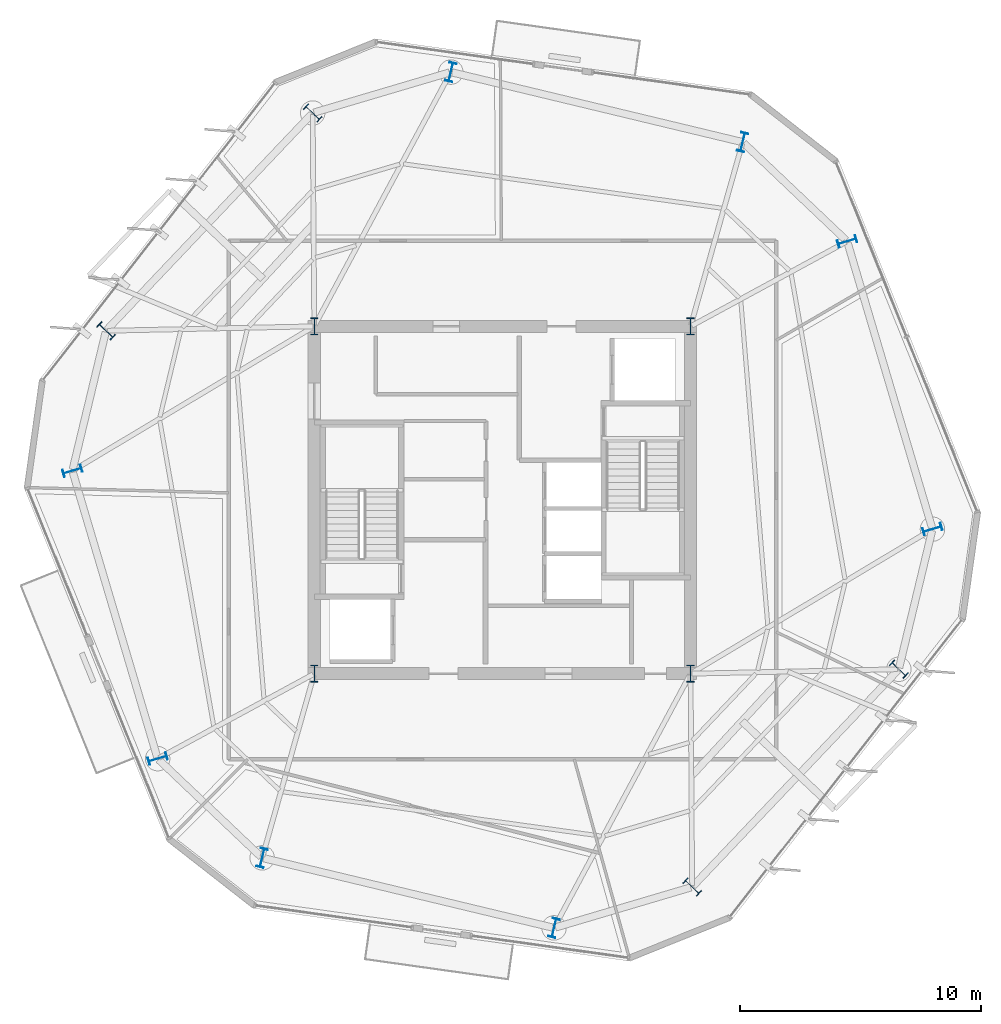
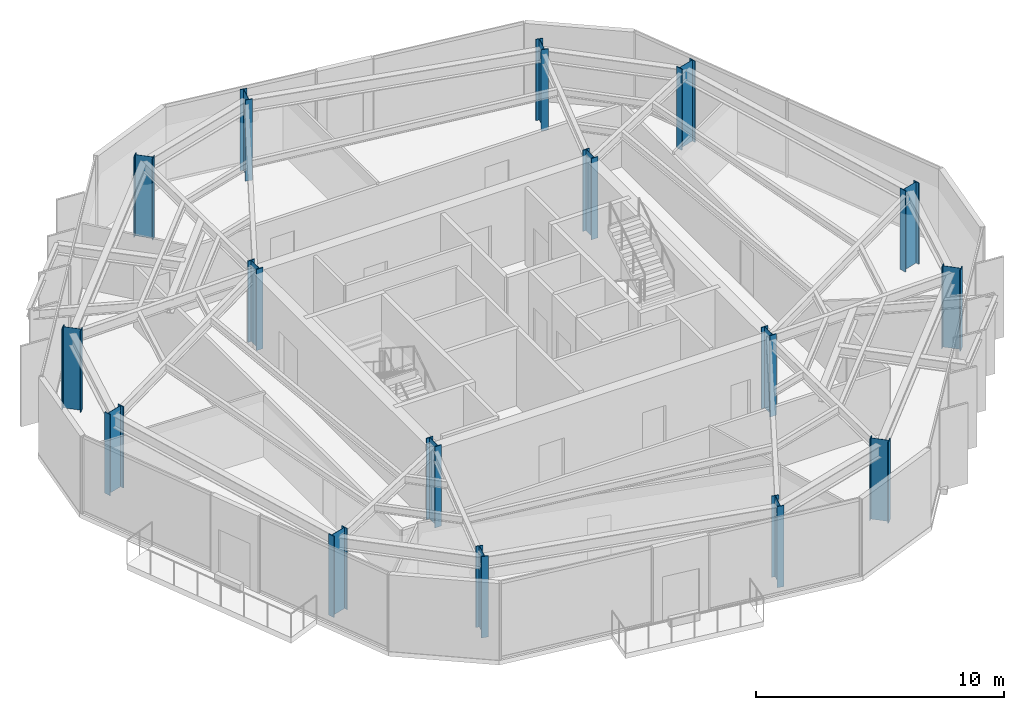
# One storey, part 1 of 11: 16 columns.
"""IFC4 building model written with IfcOpenShell, lengths in metres."""

import ifcopenshell
import ifcopenshell.guid

model = None  # the IFC model being written
_history = None  # IfcOwnerHistory: only IFC2X3 demands one
_inside = {}  # id of a spatial element -> (the spatial element, [elements in it])
_under = {}  # id of a project, library or spatial element -> (it, [spatial elements below it])
_declared = {}  # id of a project -> (the project, [libraries it declares])
_typed = {}  # id of a type object -> (the type object, [elements of that type])
_made_of = {}  # id of a material, layer set ... -> (it, [elements and type objects made of it])


def new_model(schema):
    """Start an empty IFC model of exactly this schema.

    Asked for "IFC4X3", IfcOpenShell would pick the latest addendum, in which some entities
    have other attributes; the version numbers below select the first issue.
    IFC2X3 requires an IfcOwnerHistory on every rooted entity: one is made here for all.
    """
    global model, _history
    if schema == "IFC4X3":
        model = ifcopenshell.file(schema_version=(4, 3, 0, 0))
    else:
        model = ifcopenshell.file(schema=schema)
    _inside.clear()
    _under.clear()
    _declared.clear()
    _typed.clear()
    _made_of.clear()
    _history = None
    if model.schema == "IFC2X3":
        org = make("IfcOrganization", Name="unknown")
        user = make(
            "IfcPersonAndOrganization",
            ThePerson=make("IfcPerson", FamilyName="unknown"),
            TheOrganization=org,
        )
        app = make(
            "IfcApplication",
            ApplicationDeveloper=org,
            Version="unknown",
            ApplicationFullName="unknown",
            ApplicationIdentifier="unknown",
        )
        _history = make(
            "IfcOwnerHistory",
            OwningUser=user,
            OwningApplication=app,
            ChangeAction="ADDED",
            CreationDate=0,
        )
    return model


def make(cls, **values):
    """One entity of the class cls with the attributes given. An attribute that is None is left unset."""
    return model.create_entity(
        cls, **{name: value for name, value in values.items() if value is not None}
    )


def rooted(cls, **values):
    """An entity with a GlobalId (a new one), such as an element, a storey or a relation."""
    return make(cls, GlobalId=ifcopenshell.guid.new(), OwnerHistory=_history, **values)


def si_unit(unit_type, name, prefix=None):
    """IfcSIUnit, for example si_unit("LENGTHUNIT", "METRE", prefix="MILLI")."""
    return make("IfcSIUnit", UnitType=unit_type, Prefix=prefix, Name=name)


def assignment(units):
    """IfcUnitAssignment: the units of a project."""
    return None if units is None else make("IfcUnitAssignment", Units=units)


def point(xyz):
    """IfcCartesianPoint."""
    return None if xyz is None else make("IfcCartesianPoint", Coordinates=xyz)


def direction(xyz):
    """IfcDirection."""
    return None if xyz is None else make("IfcDirection", DirectionRatios=xyz)


def frame(location, z_axis=None, x_axis=None):
    """IfcAxis2Placement3D, a coordinate frame: its origin and axes. An axis left out is left unset."""
    return make(
        "IfcAxis2Placement3D",
        Location=point(location),
        Axis=direction(z_axis),
        RefDirection=direction(x_axis),
    )


def frame_2d(location, x_axis=None):
    """IfcAxis2Placement2D, a coordinate frame in the plane: its origin and x axis."""
    return make(
        "IfcAxis2Placement2D", Location=point(location), RefDirection=direction(x_axis)
    )


def origin():
    """The frame at (0, 0, 0) with its axes left unset."""
    return frame((0.0, 0.0, 0.0))


def origin_2d():
    """The frame at (0, 0) in the plane with its x axis left unset."""
    return frame_2d((0.0, 0.0))


def place(relative_to, where):
    """IfcLocalPlacement: puts the frame where relative to a parent placement (None: the world)."""
    return make(
        "IfcLocalPlacement", PlacementRelTo=relative_to, RelativePlacement=where
    )


def context(
    kind, dimensions, precision=None, world=None, true_north=None, identifier=None
):
    """IfcGeometricRepresentationContext, for example the 3D "Model" context."""
    return make(
        "IfcGeometricRepresentationContext",
        ContextIdentifier=identifier,
        ContextType=kind,
        CoordinateSpaceDimension=dimensions,
        Precision=precision,
        WorldCoordinateSystem=world,
        TrueNorth=true_north,
    )


def subcontext(parent, identifier, kind, view, scale=None):
    """IfcGeometricRepresentationSubContext, for example "Body" below "Model"."""
    return make(
        "IfcGeometricRepresentationSubContext",
        ContextIdentifier=identifier,
        ContextType=kind,
        ParentContext=parent,
        TargetScale=scale,
        TargetView=view,
    )


def project(units=None, contexts=None):
    """IfcProject with its units and contexts."""
    return rooted(
        "IfcProject",
        Name="project",
        RepresentationContexts=contexts,
        UnitsInContext=assignment(units),
    )


def spatial(cls, under=None, at=None, **own):
    """A site, building, storey or space (cls), placed at a placement, below another one or the project."""
    s = rooted(cls, ObjectPlacement=at, **own)
    if under is not None:
        _under.setdefault(under.id(), (under, []))[1].append(s)
    return s


def profile(cls, at=None, kind="AREA", **sizes):
    """A parametric profile (cls). Its sizes go by their IFC names, for example OverallWidth=200.0."""
    return make(cls, ProfileType=kind, Position=at, **sizes)


def i_section(**sizes):
    """IfcIShapeProfileDef."""
    return profile("IfcIShapeProfileDef", **sizes)


def extrude(swept, where, along, depth):
    """IfcExtrudedAreaSolid: the profile swept, set in the frame where, extruded along a direction by depth."""
    return make(
        "IfcExtrudedAreaSolid",
        SweptArea=swept,
        Position=where,
        ExtrudedDirection=direction(along),
        Depth=depth,
    )


def shape(context_of_items, identifier, shape_type, items):
    """IfcShapeRepresentation: the items that make up one representation, for example the "Body"."""
    return make(
        "IfcShapeRepresentation",
        ContextOfItems=context_of_items,
        RepresentationIdentifier=identifier,
        RepresentationType=shape_type,
        Items=items,
    )


def material(Name=None, Category=None):
    """IfcMaterial."""
    return make("IfcMaterial", Name=Name, Category=Category)


def material_profile(
    of_material, cross_section, Name=None, Category=None, Priority=None
):
    """IfcMaterialProfile: a cross section and its material."""
    return make(
        "IfcMaterialProfile",
        Name=Name,
        Material=of_material,
        Profile=cross_section,
        Priority=Priority,
        Category=Category,
    )


def profile_set(profiles, Name=None, composite=None):
    """IfcMaterialProfileSet."""
    return make(
        "IfcMaterialProfileSet",
        Name=Name,
        MaterialProfiles=profiles,
        CompositeProfile=composite,
    )


def made_of(thing, what):
    """Note that an element or type object is made of a material, layer set ...; save() writes the relation."""
    if what is not None:
        _made_of.setdefault(what.id(), (what, []))[1].append(thing)
    return thing


def type_object(cls, material=None, **own):
    """A type object (cls), such as IfcWallType, which elements share."""
    return made_of(rooted(cls, **own), material)


def element(
    cls,
    number,
    at=None,
    inside=None,
    cuts=None,
    type_object=None,
    material=None,
    context=None,
    identifier="Body",
    shape_type=None,
    held_by="IfcProductDefinitionShape",
    body=None,
    shapes=None,
    **own,
):
    """One element of the class cls, such as IfcWall. Its Tag is "e" and its number.

    at: its placement. inside: the storey or other place that contains it. cuts: it is an
    opening in that element (IfcRelVoidsElement). A single representation is given by context,
    identifier, shape_type and body (its items); several are given by shapes. held_by: the class
    of the entity that holds the representations. save() writes the other relations.
    """
    e = rooted(cls, Tag="e%d" % number, ObjectPlacement=at, **own)
    if body is not None:
        shapes = [shape(context, identifier, shape_type, body)]
    if shapes is not None:
        e.Representation = make(held_by, Representations=shapes)
    if inside is not None:
        _inside.setdefault(inside.id(), (inside, []))[1].append(e)
    if cuts is not None:
        rooted(
            "IfcRelVoidsElement", RelatingBuildingElement=cuts, RelatedOpeningElement=e
        )
    if type_object is not None:
        _typed.setdefault(type_object.id(), (type_object, []))[1].append(e)
    return made_of(e, material)


def aggregate(whole, parts):
    """IfcRelAggregates: a whole, such as a stair, and the parts it consists of."""
    return rooted("IfcRelAggregates", RelatingObject=whole, RelatedObjects=parts)


def save(model, path):
    """Write the relations noted so far, then the file.

    IfcRelAggregates (storeys below a building ...), IfcRelContainedInSpatialStructure (elements
    in a storey), IfcRelDefinesByType, IfcRelAssociatesMaterial and IfcRelDeclares: one each for
    every whole, place, type object, material and project.
    """
    for whole, parts in _under.values():
        aggregate(whole, parts)
    for where, things in _inside.values():
        rooted(
            "IfcRelContainedInSpatialStructure",
            RelatedElements=things,
            RelatingStructure=where,
        )
    for kind, things in _typed.values():
        rooted("IfcRelDefinesByType", RelatedObjects=things, RelatingType=kind)
    for what, things in _made_of.values():
        rooted("IfcRelAssociatesMaterial", RelatedObjects=things, RelatingMaterial=what)
    for by, libraries in _declared.values():
        rooted("IfcRelDeclares", RelatingContext=by, RelatedDefinitions=libraries)
    model.write(path)


model = new_model("IFC4")

# Units and contexts
model_context = context("Model", 3, precision=1e-05, world=origin(), true_north=direction((0.0, 1.0)))
body_context = subcontext(model_context, "Body", "Model", "MODEL_VIEW")
ifc_project = project(units=[si_unit("LENGTHUNIT", "METRE"), si_unit("AREAUNIT", "SQUARE_METRE"), si_unit("VOLUMEUNIT", "CUBIC_METRE"), si_unit("PLANEANGLEUNIT", "RADIAN"), si_unit("MASSUNIT", "GRAM", prefix="KILO")], contexts=[model_context])

# Site, building, storey
site_placement = place(None, origin())
site = spatial("IfcSite", under=ifc_project, at=site_placement, CompositionType="ELEMENT")
building_placement = place(site_placement, origin())
building = spatial("IfcBuilding", under=site, at=building_placement, Name="Kranzbogen Civic Tower", CompositionType="ELEMENT")
storey_placement = place(building_placement, frame((0.0, 0.0, 232.800048828125)))
storey = spatial("IfcBuildingStorey", under=building, at=storey_placement, Name="L56", CompositionType="ELEMENT", Elevation=232.800048828125)

# Columns
ifc_material_1 = material(Name="Steel S355", Category="steel")
ifc_material_profile_1 = material_profile(ifc_material_1, i_section(OverallWidth=0.300048828125, OverallDepth=0.800048828125, WebThickness=0.017578125, FlangeThickness=0.032958984375, at=origin_2d()), Name="HEB 800")
ifc_profile_set_1 = profile_set([ifc_material_profile_1], Name="Steel S355")
column_type_1 = type_object("IfcColumnType", Name="Structural Column HEB 800", PredefinedType="COLUMN", material=ifc_profile_set_1)
for number, where, z_axis, x_axis, name in (
    (1, (34.9609375, 39.8349609375, 0.0), (0.0, 0.0, 1.0), (-0.972369920398, 0.233445363856, 0.0), "L56 tower perimeter tube column 01"),
    (2, (22.860107421875, 42.739990234375, 0.0), (0.0, 0.0, 1.0), (-0.972369920398, 0.233445363856, 0.0), "L56 tower perimeter tube column 02"),
    (3, (17.133056640625, 41.0439453125, 0.0), (0.0, 0.0, 1.0), (0.688354575694, 0.725374371012, 0.0), "L56 tower perimeter tube column 03"),
    (4, (8.56689453125, 32.01611328125, 0.0), (0.0, 0.0, 1.0), (0.688354575694, 0.725374371012, 0.0), "L56 tower perimeter tube column 04"),
    (5, (7.172119140625, 26.208984375, 0.0), (0.0, 0.0, 1.0), (-0.284015344704, 0.958819734868, 0.0), "L56 tower perimeter tube column 05"),
    (6, (10.70703125, 14.27587890625, 0.0), (0.0, 0.0, 1.0), (-0.284015344704, 0.958819734868, 0.0), "L56 tower perimeter tube column 06"),
    (7, (15.0390625, 10.1650390625, 0.0), (0.0, 0.0, 1.0), (-0.972369920398, 0.233445363856, 0.0), "L56 tower perimeter tube column 07"),
    (8, (27.139892578125, 7.260009765625, 0.0), (0.0, 0.0, 1.0), (-0.972369920398, 0.233445363856, 0.0), "L56 tower perimeter tube column 08"),
    (9, (32.866943359375, 8.9560546875, 0.0), (0.0, 0.0, 1.0), (0.688354575694, 0.725374371012, 0.0), "L56 tower perimeter tube column 09"),
    (10, (41.43310546875, 17.98388671875, 0.0), (0.0, 0.0, 1.0), (0.688354575694, 0.725374371012, 0.0), "L56 tower perimeter tube column 10"),
    (11, (42.827880859375, 23.791015625, 0.0), (0.0, 0.0, 1.0), (-0.284015344704, 0.958819734868, 0.0), "L56 tower perimeter tube column 11"),
    (12, (39.29296875, 35.72412109375, 0.0), (0.0, 0.0, 1.0), (-0.284015344704, 0.958819734868, 0.0), "L56 tower perimeter tube column 12"),
):
    element("IfcColumn", number, at=place(storey_placement, frame(where, z_axis=z_axis, x_axis=x_axis)), inside=storey, type_object=column_type_1, Name=name, PredefinedType="COLUMN", context=body_context, shape_type="SweptSolid", body=[
        extrude(i_section(OverallWidth=0.300048828125, OverallDepth=0.800048828125, WebThickness=0.017578125, FlangeThickness=0.032958984375, at=origin_2d()), origin(), (0.0, 0.0, 1.0), 4.0),
    ])
ifc_material_2 = material(Name="Steel S460", Category="steel")
ifc_material_profile_2 = material_profile(ifc_material_2, i_section(OverallWidth=0.303955078125, OverallDepth=0.716064453125, WebThickness=0.02099609375, FlangeThickness=0.0400390625, at=origin_2d()), Name="HEM 700")
ifc_profile_set_2 = profile_set([ifc_material_profile_2], Name="Steel S460")
column_type_2 = type_object("IfcColumnType", Name="Structural Column HEM 700", PredefinedType="COLUMN", material=ifc_profile_set_2)
for number, where, z_axis, x_axis, name in (
    (13, (17.199951171875, 17.800048828125, 0.0), (0.0, 0.0, 1.0), (1.0, 0.0, 0.0), "L56 composite core corner column 1"),
    (14, (32.800048828125, 17.800048828125, 0.0), (0.0, 0.0, 1.0), (1.0, 0.0, 0.0), "L56 composite core corner column 2"),
    (15, (32.800048828125, 32.199951171875, 0.0), (0.0, 0.0, 1.0), (1.0, 0.0, 0.0), "L56 composite core corner column 3"),
    (16, (17.199951171875, 32.199951171875, 0.0), (0.0, 0.0, 1.0), (1.0, 0.0, 0.0), "L56 composite core corner column 4"),
):
    element("IfcColumn", number, at=place(storey_placement, frame(where, z_axis=z_axis, x_axis=x_axis)), inside=storey, type_object=column_type_2, Name=name, PredefinedType="COLUMN", context=body_context, shape_type="SweptSolid", body=[
        extrude(i_section(OverallWidth=0.303955078125, OverallDepth=0.716064453125, WebThickness=0.02099609375, FlangeThickness=0.0400390625, at=origin_2d()), origin(), (0.0, 0.0, 1.0), 4.0),
    ])

save(model, "model.ifc")
